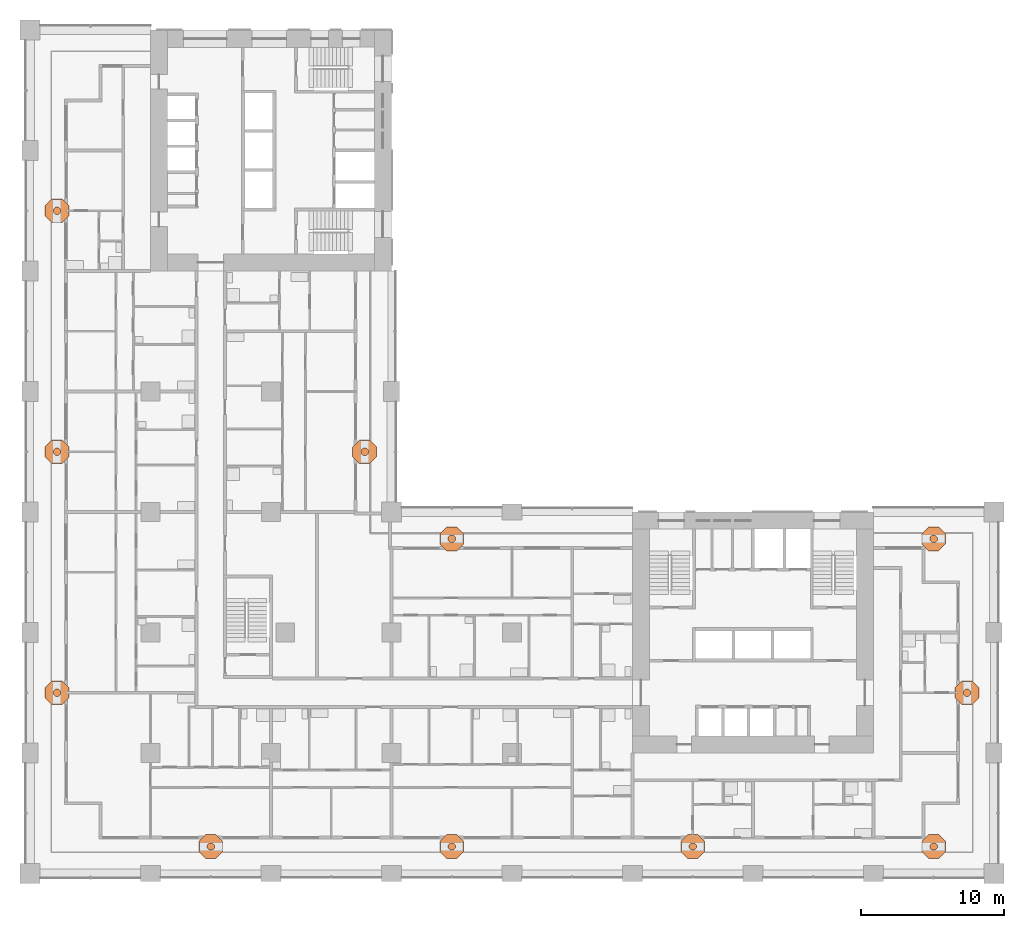
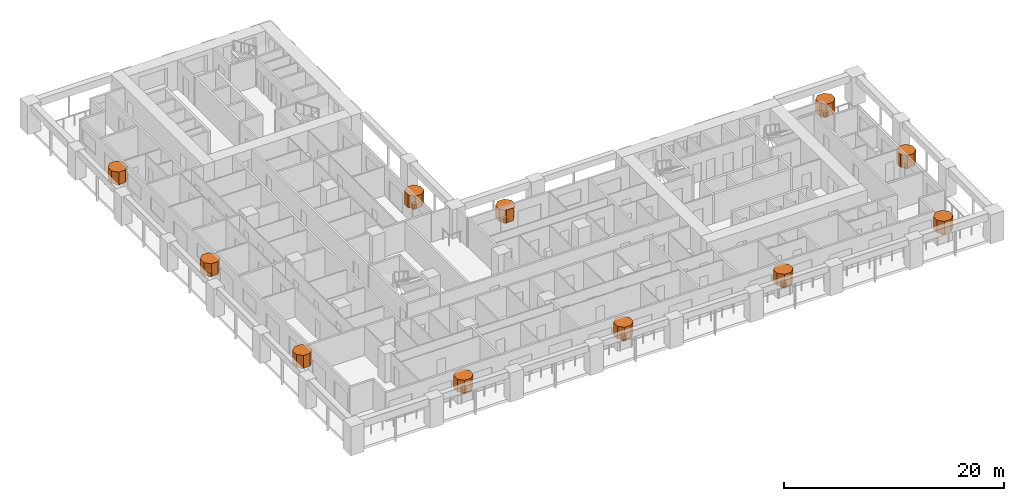
# One storey, part 22 of 22: 22 geographic elements.
"""IFC4 building model written with IfcOpenShell, lengths in metres."""

from ifc_helpers import new_model, si_unit, direction, frame, origin, place, context, subcontext, project, spatial, polyline, outline, extrude, material, element, save


model = new_model("IFC4")

# Units and contexts
model_context = context("Model", 3, precision=1e-05, world=origin(), true_north=direction((0.0, 1.0)))
body_context = subcontext(model_context, "Body", "Model", "MODEL_VIEW")
ifc_project = project(units=[si_unit("LENGTHUNIT", "METRE"), si_unit("AREAUNIT", "SQUARE_METRE"), si_unit("VOLUMEUNIT", "CUBIC_METRE"), si_unit("PLANEANGLEUNIT", "RADIAN"), si_unit("MASSUNIT", "GRAM", prefix="KILO")], contexts=[model_context])

# Site, building, storey
site_placement = place(None, origin())
site = spatial("IfcSite", under=ifc_project, at=site_placement, CompositionType="ELEMENT")
building_placement = place(site_placement, origin())
building = spatial("IfcBuilding", under=site, at=building_placement, Name="Vermilion Gate Residences", CompositionType="ELEMENT")
storey_placement = place(building_placement, frame((0.0, 0.0, 63.699951171875)))
storey = spatial("IfcBuildingStorey", under=building, at=storey_placement, Name="L15", CompositionType="ELEMENT", Elevation=63.699951171875)

# Geographic elements
ifc_material = material(Name="Foliage")
geographic_element_1_placement = place(storey_placement, frame((0.0, 0.0, 0.900146484375)))
element("IfcGeographicElement", 1, at=geographic_element_1_placement, inside=storey, material=ifc_material, Name="Tree (black pine)", ObjectType="TREE", PredefinedType="USERDEFINED", context=body_context, shape_type="SweptSolid", body=[
    extrude(outline(polyline([(12.85400390625, 1.980224609375), (12.705078125, 2.129150390625), (12.494873046875, 2.129150390625), (12.345947265625, 1.980224609375), (12.345947265625, 1.769775390625), (12.494873046875, 1.620849609375), (12.705078125, 1.620849609375), (12.85400390625, 1.769775390625), (12.85400390625, 1.980224609375)])), origin(), (0.0, 0.0, 1.0), 0.52001953125),
])
geographic_element_2_placement = place(storey_placement, frame((0.0, 0.0, 1.420166015625)))
element("IfcGeographicElement", 2, at=geographic_element_2_placement, inside=storey, material=ifc_material, Name="Tree crown (black pine)", ObjectType="TREE", PredefinedType="USERDEFINED", context=body_context, shape_type="SweptSolid", body=[
    extrude(outline(polyline([(13.431396484375, 2.219482421875), (12.9443359375, 2.70654296875), (12.255615234375, 2.70654296875), (11.7685546875, 2.219482421875), (11.7685546875, 1.530517578125), (12.255615234375, 1.04345703125), (12.9443359375, 1.04345703125), (13.431396484375, 1.530517578125), (13.431396484375, 2.219482421875)])), origin(), (0.0, 0.0, 1.0), 1.39990234375),
])
geographic_element_3_placement = place(storey_placement, frame((0.0, 0.0, 0.900146484375)))
element("IfcGeographicElement", 3, at=geographic_element_3_placement, inside=storey, material=ifc_material, Name="Tree (maple)", ObjectType="TREE", PredefinedType="USERDEFINED", context=body_context, shape_type="SweptSolid", body=[
    extrude(outline(polyline([(29.654052734375, 1.980224609375), (29.505126953125, 2.129150390625), (29.294921875, 2.129150390625), (29.14599609375, 1.980224609375), (29.14599609375, 1.769775390625), (29.294921875, 1.620849609375), (29.505126953125, 1.620849609375), (29.654052734375, 1.769775390625), (29.654052734375, 1.980224609375)])), origin(), (0.0, 0.0, 1.0), 0.52001953125),
])
geographic_element_4_placement = place(storey_placement, frame((0.0, 0.0, 1.420166015625)))
element("IfcGeographicElement", 4, at=geographic_element_4_placement, inside=storey, material=ifc_material, Name="Tree crown (maple)", ObjectType="TREE", PredefinedType="USERDEFINED", context=body_context, shape_type="SweptSolid", body=[
    extrude(outline(polyline([(30.2314453125, 2.219482421875), (29.744384765625, 2.70654296875), (29.0556640625, 2.70654296875), (28.568603515625, 2.219482421875), (28.568603515625, 1.530517578125), (29.0556640625, 1.04345703125), (29.744384765625, 1.04345703125), (30.2314453125, 1.530517578125), (30.2314453125, 2.219482421875)])), origin(), (0.0, 0.0, 1.0), 1.39990234375),
])
geographic_element_5_placement = place(storey_placement, frame((0.0, 0.0, 0.900146484375)))
element("IfcGeographicElement", 5, at=geographic_element_5_placement, inside=storey, material=ifc_material, Name="Tree (black pine)", ObjectType="TREE", PredefinedType="USERDEFINED", context=body_context, shape_type="SweptSolid", body=[
    extrude(outline(polyline([(46.4541015625, 1.980224609375), (46.30517578125, 2.129150390625), (46.0947265625, 2.129150390625), (45.94580078125, 1.980224609375), (45.94580078125, 1.769775390625), (46.0947265625, 1.620849609375), (46.30517578125, 1.620849609375), (46.4541015625, 1.769775390625), (46.4541015625, 1.980224609375)])), origin(), (0.0, 0.0, 1.0), 0.52001953125),
])
geographic_element_6_placement = place(storey_placement, frame((0.0, 0.0, 1.420166015625)))
element("IfcGeographicElement", 6, at=geographic_element_6_placement, inside=storey, material=ifc_material, Name="Tree crown (black pine)", ObjectType="TREE", PredefinedType="USERDEFINED", context=body_context, shape_type="SweptSolid", body=[
    extrude(outline(polyline([(47.031494140625, 2.219482421875), (46.54443359375, 2.70654296875), (45.855712890625, 2.70654296875), (45.368408203125, 2.219482421875), (45.368408203125, 1.530517578125), (45.855712890625, 1.04345703125), (46.54443359375, 1.04345703125), (47.031494140625, 1.530517578125), (47.031494140625, 2.219482421875)])), origin(), (0.0, 0.0, 1.0), 1.39990234375),
])
geographic_element_7_placement = place(storey_placement, frame((0.0, 0.0, 0.900146484375)))
element("IfcGeographicElement", 7, at=geographic_element_7_placement, inside=storey, material=ifc_material, Name="Tree (maple)", ObjectType="TREE", PredefinedType="USERDEFINED", context=body_context, shape_type="SweptSolid", body=[
    extrude(outline(polyline([(63.254150390625, 1.980224609375), (63.105224609375, 2.129150390625), (62.894775390625, 2.129150390625), (62.745849609375, 1.980224609375), (62.745849609375, 1.769775390625), (62.894775390625, 1.620849609375), (63.105224609375, 1.620849609375), (63.254150390625, 1.769775390625), (63.254150390625, 1.980224609375)])), origin(), (0.0, 0.0, 1.0), 0.52001953125),
])
geographic_element_8_placement = place(storey_placement, frame((0.0, 0.0, 1.420166015625)))
element("IfcGeographicElement", 8, at=geographic_element_8_placement, inside=storey, material=ifc_material, Name="Tree crown (maple)", ObjectType="TREE", PredefinedType="USERDEFINED", context=body_context, shape_type="SweptSolid", body=[
    extrude(outline(polyline([(63.83154296875, 2.219482421875), (63.344482421875, 2.70654296875), (62.655517578125, 2.70654296875), (62.16845703125, 2.219482421875), (62.16845703125, 1.530517578125), (62.655517578125, 1.04345703125), (63.344482421875, 1.04345703125), (63.83154296875, 1.530517578125), (63.83154296875, 2.219482421875)])), origin(), (0.0, 0.0, 1.0), 1.39990234375),
])
geographic_element_9_placement = place(storey_placement, frame((0.0, 0.0, 0.900146484375)))
element("IfcGeographicElement", 9, at=geographic_element_9_placement, inside=storey, material=ifc_material, Name="Tree (black pine)", ObjectType="TREE", PredefinedType="USERDEFINED", context=body_context, shape_type="SweptSolid", body=[
    extrude(outline(polyline([(65.5791015625, 12.705078125), (65.43017578125, 12.85400390625), (65.2197265625, 12.85400390625), (65.07080078125, 12.705078125), (65.07080078125, 12.494873046875), (65.2197265625, 12.345947265625), (65.43017578125, 12.345947265625), (65.5791015625, 12.494873046875), (65.5791015625, 12.705078125)])), origin(), (0.0, 0.0, 1.0), 0.52001953125),
])
geographic_element_10_placement = place(storey_placement, frame((0.0, 0.0, 1.420166015625)))
element("IfcGeographicElement", 10, at=geographic_element_10_placement, inside=storey, material=ifc_material, Name="Tree crown (black pine)", ObjectType="TREE", PredefinedType="USERDEFINED", context=body_context, shape_type="SweptSolid", body=[
    extrude(outline(polyline([(66.156494140625, 12.9443359375), (65.66943359375, 13.431396484375), (64.980712890625, 13.431396484375), (64.493408203125, 12.9443359375), (64.493408203125, 12.255615234375), (64.980712890625, 11.7685546875), (65.66943359375, 11.7685546875), (66.156494140625, 12.255615234375), (66.156494140625, 12.9443359375)])), origin(), (0.0, 0.0, 1.0), 1.39990234375),
])
geographic_element_11_placement = place(storey_placement, frame((0.0, 0.0, 0.900146484375)))
element("IfcGeographicElement", 11, at=geographic_element_11_placement, inside=storey, material=ifc_material, Name="Tree (maple)", ObjectType="TREE", PredefinedType="USERDEFINED", context=body_context, shape_type="SweptSolid", body=[
    extrude(outline(polyline([(29.654052734375, 23.43017578125), (29.505126953125, 23.5791015625), (29.294921875, 23.5791015625), (29.14599609375, 23.43017578125), (29.14599609375, 23.2197265625), (29.294921875, 23.07080078125), (29.505126953125, 23.07080078125), (29.654052734375, 23.2197265625), (29.654052734375, 23.43017578125)])), origin(), (0.0, 0.0, 1.0), 0.52001953125),
])
geographic_element_12_placement = place(storey_placement, frame((0.0, 0.0, 1.420166015625)))
element("IfcGeographicElement", 12, at=geographic_element_12_placement, inside=storey, material=ifc_material, Name="Tree crown (maple)", ObjectType="TREE", PredefinedType="USERDEFINED", context=body_context, shape_type="SweptSolid", body=[
    extrude(outline(polyline([(30.2314453125, 23.66943359375), (29.744384765625, 24.156494140625), (29.0556640625, 24.156494140625), (28.568603515625, 23.66943359375), (28.568603515625, 22.980712890625), (29.0556640625, 22.493408203125), (29.744384765625, 22.493408203125), (30.2314453125, 22.980712890625), (30.2314453125, 23.66943359375)])), origin(), (0.0, 0.0, 1.0), 1.39990234375),
])
geographic_element_13_placement = place(storey_placement, frame((0.0, 0.0, 0.900146484375)))
element("IfcGeographicElement", 13, at=geographic_element_13_placement, inside=storey, material=ifc_material, Name="Tree (maple)", ObjectType="TREE", PredefinedType="USERDEFINED", context=body_context, shape_type="SweptSolid", body=[
    extrude(outline(polyline([(63.254150390625, 23.43017578125), (63.105224609375, 23.5791015625), (62.894775390625, 23.5791015625), (62.745849609375, 23.43017578125), (62.745849609375, 23.2197265625), (62.894775390625, 23.07080078125), (63.105224609375, 23.07080078125), (63.254150390625, 23.2197265625), (63.254150390625, 23.43017578125)])), origin(), (0.0, 0.0, 1.0), 0.52001953125),
])
geographic_element_14_placement = place(storey_placement, frame((0.0, 0.0, 1.420166015625)))
element("IfcGeographicElement", 14, at=geographic_element_14_placement, inside=storey, material=ifc_material, Name="Tree crown (maple)", ObjectType="TREE", PredefinedType="USERDEFINED", context=body_context, shape_type="SweptSolid", body=[
    extrude(outline(polyline([(63.83154296875, 23.66943359375), (63.344482421875, 24.156494140625), (62.655517578125, 24.156494140625), (62.16845703125, 23.66943359375), (62.16845703125, 22.980712890625), (62.655517578125, 22.493408203125), (63.344482421875, 22.493408203125), (63.83154296875, 22.980712890625), (63.83154296875, 23.66943359375)])), origin(), (0.0, 0.0, 1.0), 1.39990234375),
])
geographic_element_15_placement = place(storey_placement, frame((0.0, 0.0, 0.900146484375)))
element("IfcGeographicElement", 15, at=geographic_element_15_placement, inside=storey, material=ifc_material, Name="Tree (maple)", ObjectType="TREE", PredefinedType="USERDEFINED", context=body_context, shape_type="SweptSolid", body=[
    extrude(outline(polyline([(23.5791015625, 29.505126953125), (23.43017578125, 29.654052734375), (23.2197265625, 29.654052734375), (23.07080078125, 29.505126953125), (23.07080078125, 29.294921875), (23.2197265625, 29.14599609375), (23.43017578125, 29.14599609375), (23.5791015625, 29.294921875), (23.5791015625, 29.505126953125)])), origin(), (0.0, 0.0, 1.0), 0.52001953125),
])
geographic_element_16_placement = place(storey_placement, frame((0.0, 0.0, 1.420166015625)))
element("IfcGeographicElement", 16, at=geographic_element_16_placement, inside=storey, material=ifc_material, Name="Tree crown (maple)", ObjectType="TREE", PredefinedType="USERDEFINED", context=body_context, shape_type="SweptSolid", body=[
    extrude(outline(polyline([(24.156494140625, 29.744384765625), (23.66943359375, 30.2314453125), (22.980712890625, 30.2314453125), (22.493408203125, 29.744384765625), (22.493408203125, 29.0556640625), (22.980712890625, 28.568603515625), (23.66943359375, 28.568603515625), (24.156494140625, 29.0556640625), (24.156494140625, 29.744384765625)])), origin(), (0.0, 0.0, 1.0), 1.39990234375),
])
geographic_element_17_placement = place(storey_placement, frame((0.0, 0.0, 0.900146484375)))
element("IfcGeographicElement", 17, at=geographic_element_17_placement, inside=storey, material=ifc_material, Name="Tree (black pine)", ObjectType="TREE", PredefinedType="USERDEFINED", context=body_context, shape_type="SweptSolid", body=[
    extrude(outline(polyline([(2.129150390625, 12.705078125), (1.980224609375, 12.85400390625), (1.769775390625, 12.85400390625), (1.620849609375, 12.705078125), (1.620849609375, 12.494873046875), (1.769775390625, 12.345947265625), (1.980224609375, 12.345947265625), (2.129150390625, 12.494873046875), (2.129150390625, 12.705078125)])), origin(), (0.0, 0.0, 1.0), 0.52001953125),
])
geographic_element_18_placement = place(storey_placement, frame((0.0, 0.0, 1.420166015625)))
element("IfcGeographicElement", 18, at=geographic_element_18_placement, inside=storey, material=ifc_material, Name="Tree crown (black pine)", ObjectType="TREE", PredefinedType="USERDEFINED", context=body_context, shape_type="SweptSolid", body=[
    extrude(outline(polyline([(2.70654296875, 12.9443359375), (2.219482421875, 13.431396484375), (1.530517578125, 13.431396484375), (1.04345703125, 12.9443359375), (1.04345703125, 12.255615234375), (1.530517578125, 11.7685546875), (2.219482421875, 11.7685546875), (2.70654296875, 12.255615234375), (2.70654296875, 12.9443359375)])), origin(), (0.0, 0.0, 1.0), 1.39990234375),
])
geographic_element_19_placement = place(storey_placement, frame((0.0, 0.0, 0.900146484375)))
element("IfcGeographicElement", 19, at=geographic_element_19_placement, inside=storey, material=ifc_material, Name="Tree (maple)", ObjectType="TREE", PredefinedType="USERDEFINED", context=body_context, shape_type="SweptSolid", body=[
    extrude(outline(polyline([(2.129150390625, 29.505126953125), (1.980224609375, 29.654052734375), (1.769775390625, 29.654052734375), (1.620849609375, 29.505126953125), (1.620849609375, 29.294921875), (1.769775390625, 29.14599609375), (1.980224609375, 29.14599609375), (2.129150390625, 29.294921875), (2.129150390625, 29.505126953125)])), origin(), (0.0, 0.0, 1.0), 0.52001953125),
])
geographic_element_20_placement = place(storey_placement, frame((0.0, 0.0, 1.420166015625)))
element("IfcGeographicElement", 20, at=geographic_element_20_placement, inside=storey, material=ifc_material, Name="Tree crown (maple)", ObjectType="TREE", PredefinedType="USERDEFINED", context=body_context, shape_type="SweptSolid", body=[
    extrude(outline(polyline([(2.70654296875, 29.744384765625), (2.219482421875, 30.2314453125), (1.530517578125, 30.2314453125), (1.04345703125, 29.744384765625), (1.04345703125, 29.0556640625), (1.530517578125, 28.568603515625), (2.219482421875, 28.568603515625), (2.70654296875, 29.0556640625), (2.70654296875, 29.744384765625)])), origin(), (0.0, 0.0, 1.0), 1.39990234375),
])
geographic_element_21_placement = place(storey_placement, frame((0.0, 0.0, 0.900146484375)))
element("IfcGeographicElement", 21, at=geographic_element_21_placement, inside=storey, material=ifc_material, Name="Tree (black pine)", ObjectType="TREE", PredefinedType="USERDEFINED", context=body_context, shape_type="SweptSolid", body=[
    extrude(outline(polyline([(2.129150390625, 46.30517578125), (1.980224609375, 46.4541015625), (1.769775390625, 46.4541015625), (1.620849609375, 46.30517578125), (1.620849609375, 46.0947265625), (1.769775390625, 45.94580078125), (1.980224609375, 45.94580078125), (2.129150390625, 46.0947265625), (2.129150390625, 46.30517578125)])), origin(), (0.0, 0.0, 1.0), 0.52001953125),
])
geographic_element_22_placement = place(storey_placement, frame((0.0, 0.0, 1.420166015625)))
element("IfcGeographicElement", 22, at=geographic_element_22_placement, inside=storey, material=ifc_material, Name="Tree crown (black pine)", ObjectType="TREE", PredefinedType="USERDEFINED", context=body_context, shape_type="SweptSolid", body=[
    extrude(outline(polyline([(2.70654296875, 46.54443359375), (2.219482421875, 47.031494140625), (1.530517578125, 47.031494140625), (1.04345703125, 46.54443359375), (1.04345703125, 45.855712890625), (1.530517578125, 45.368408203125), (2.219482421875, 45.368408203125), (2.70654296875, 45.855712890625), (2.70654296875, 46.54443359375)])), origin(), (0.0, 0.0, 1.0), 1.39990234375),
])

save(model, "model.ifc")
